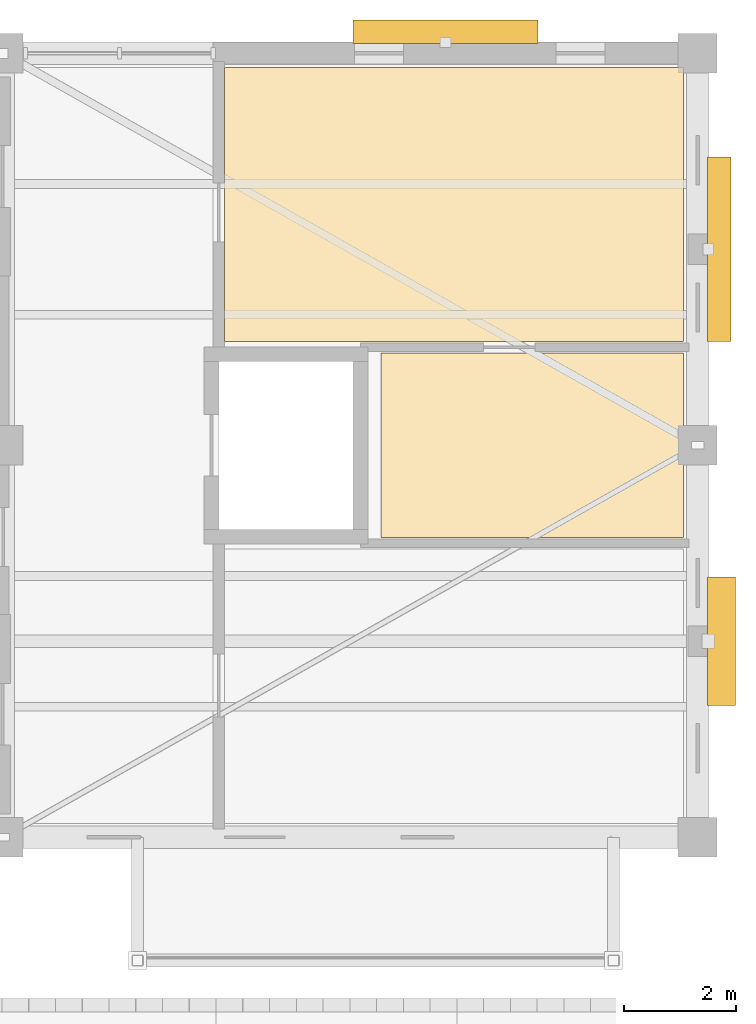
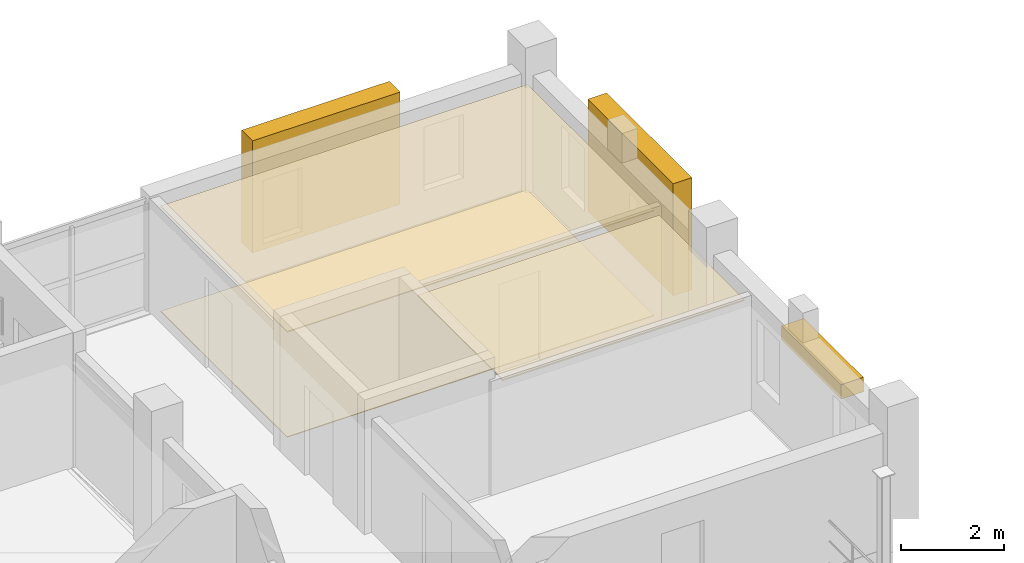
# One storey, part 48 of 48: 3 coverings, 3 shading devices.
"""IFC4 building model written with IfcOpenShell, lengths in metres."""

from ifc_helpers import new_model, si_unit, direction, frame, origin, origin_2d, place, context, subcontext, project, spatial, polyline, rectangle, outline, extrude, material, layer, layer_set, type_object, element, save


model = new_model("IFC4")

# Units and contexts
model_context = context("Model", 3, precision=1e-05, world=origin(), true_north=direction((0.0, 1.0)))
body_context = subcontext(model_context, "Body", "Model", "MODEL_VIEW")
ifc_project = project(units=[si_unit("LENGTHUNIT", "METRE"), si_unit("AREAUNIT", "SQUARE_METRE"), si_unit("VOLUMEUNIT", "CUBIC_METRE"), si_unit("PLANEANGLEUNIT", "RADIAN"), si_unit("MASSUNIT", "GRAM", prefix="KILO")], contexts=[model_context])

# Site, building, storey
site_placement = place(None, origin())
site = spatial("IfcSite", under=ifc_project, at=site_placement, CompositionType="ELEMENT")
building_placement = place(site_placement, origin())
building = spatial("IfcBuilding", under=site, at=building_placement, Name="Trellovar Central Fire Station", CompositionType="ELEMENT")
storey_placement = place(building_placement, frame((0.0, 0.0, 9.300048828125)))
storey = spatial("IfcBuildingStorey", under=building, at=storey_placement, Name="L03", CompositionType="ELEMENT", Elevation=9.300048828125)

# Coverings
ifc_material_1 = material(Name="Perforated acoustic mineral fiber ceiling tile", Category="mineral")
ifc_layer_1 = layer(ifc_material_1, 0.02490234375)
ifc_layer_set_1 = layer_set([ifc_layer_1], Name="Perforated acoustic mineral fiber ceiling tile")
covering_type_1 = type_object("IfcCoveringType", Name="COV-CLG1", PredefinedType="CEILING", material=ifc_layer_set_1)
covering_1_placement = place(storey_placement, frame((0.0, 0.0, 2.47998046875)))
element("IfcCovering", 1, at=covering_1_placement, inside=storey, type_object=covering_type_1, Name="Hose Hoist Gallery L03 suspended ceiling", PredefinedType="CEILING", context=body_context, shape_type="SweptSolid", body=[
    extrude(outline(polyline([(160.75, 72.75), (160.75, 67.85009765625), (152.550048828125, 67.85009765625), (152.550048828125, 72.75), (160.75, 72.75)])), origin(), (0.0, 0.0, 1.0), 0.02490234375),
])
ifc_material_2 = material(Name="Moisture-resistant gypsum ceiling board", Category="gypsum")
ifc_layer_2 = layer(ifc_material_2, 0.030029296875)
ifc_layer_set_2 = layer_set([ifc_layer_2], Name="Moisture-resistant gypsum ceiling board")
covering_type_2 = type_object("IfcCoveringType", Name="COV-CLG2", PredefinedType="CEILING", material=ifc_layer_set_2)
covering_2_placement = place(storey_placement, frame((0.0, 0.0, 2.47998046875)))
element("IfcCovering", 2, at=covering_2_placement, inside=storey, type_object=covering_type_2, Name="Tower Level Three Restroom suspended ceiling", PredefinedType="CEILING", context=body_context, shape_type="SweptSolid", body=[
    extrude(outline(polyline([(160.75, 67.64990234375), (160.75, 64.35009765625), (155.35009765625, 64.35009765625), (155.35009765625, 67.64990234375), (160.75, 67.64990234375)])), origin(), (0.0, 0.0, 1.0), 0.030029296875),
])
ifc_material_3 = material(Name="Vitrified Catalan ceramic floor tile", Category="masonry")
ifc_layer_3 = layer(ifc_material_3, 0.01806640625)
ifc_layer_set_3 = layer_set([ifc_layer_3], Name="Vitrified Catalan ceramic floor tile")
covering_type_3 = type_object("IfcCoveringType", Name="COV-FLR2", PredefinedType="FLOORING", material=ifc_layer_set_3)
covering_3_placement = place(storey_placement, origin())
element("IfcCovering", 3, at=covering_3_placement, inside=storey, type_object=covering_type_3, Name="Hose Hoist Gallery L03 floor finish", PredefinedType="FLOORING", context=body_context, shape_type="SweptSolid", body=[
    extrude(outline(polyline([(160.75, 72.75), (160.75, 67.85009765625), (152.550048828125, 67.85009765625), (152.550048828125, 72.75), (160.75, 72.75)])), origin(), (0.0, 0.0, 1.0), 0.01806640625),
])

# Shading devices
ifc_material_4 = material(Name="Glazed ceramic trencadis and terracotta panel", Category="masonry")
shading_device_type_1 = type_object("IfcShadingDeviceType", Name="SHD-LV1", PredefinedType="JALOUSIE", material=ifc_material_4)
shading_device_placement = place(storey_placement, frame((161.425048828125, 62.5, 1.830078125), z_axis=(0.0, 0.0, 1.0), x_axis=(0.0, 1.0, 0.0)))
element("IfcShadingDevice", 4, at=shading_device_placement, inside=storey, type_object=shading_device_type_1, Name="L03 Catalan solar brise-soleil LV-1", PredefinedType="JALOUSIE", context=body_context, shape_type="SweptSolid", body=[
    extrude(rectangle(XDim=2.300048828125, YDim=0.5, at=origin_2d()), origin(), (0.0, 0.0, 1.0), 0.340087890625),
])
ifc_material_5 = material(Name="Glazed ceramic trencadis and terracotta panel", Category="masonry")
shading_device_type_2 = type_object("IfcShadingDeviceType", Name="SHD-LV3", PredefinedType="JALOUSIE", material=ifc_material_5)
for number, where, z_axis, x_axis, name in (
    (5, (156.5, 73.385009765625, 0.324951171875), (0.0, 0.0, 1.0), (1.0, 0.0, 0.0), "L03 Catalan solar brise-soleil LV-3"),
    (6, (161.385009765625, 69.5, 0.324951171875), (0.0, 0.0, 1.0), (0.0, 1.0, 0.0), "L03 Catalan solar brise-soleil LV-3"),
):
    element("IfcShadingDevice", number, at=place(storey_placement, frame(where, z_axis=z_axis, x_axis=x_axis)), inside=storey, type_object=shading_device_type_2, Name=name, PredefinedType="JALOUSIE", context=body_context, shape_type="SweptSolid", body=[
        extrude(rectangle(XDim=3.300048828125, YDim=0.419921875, at=origin_2d()), origin(), (0.0, 0.0, 1.0), 2.64990234375),
    ])

save(model, "model.ifc")
